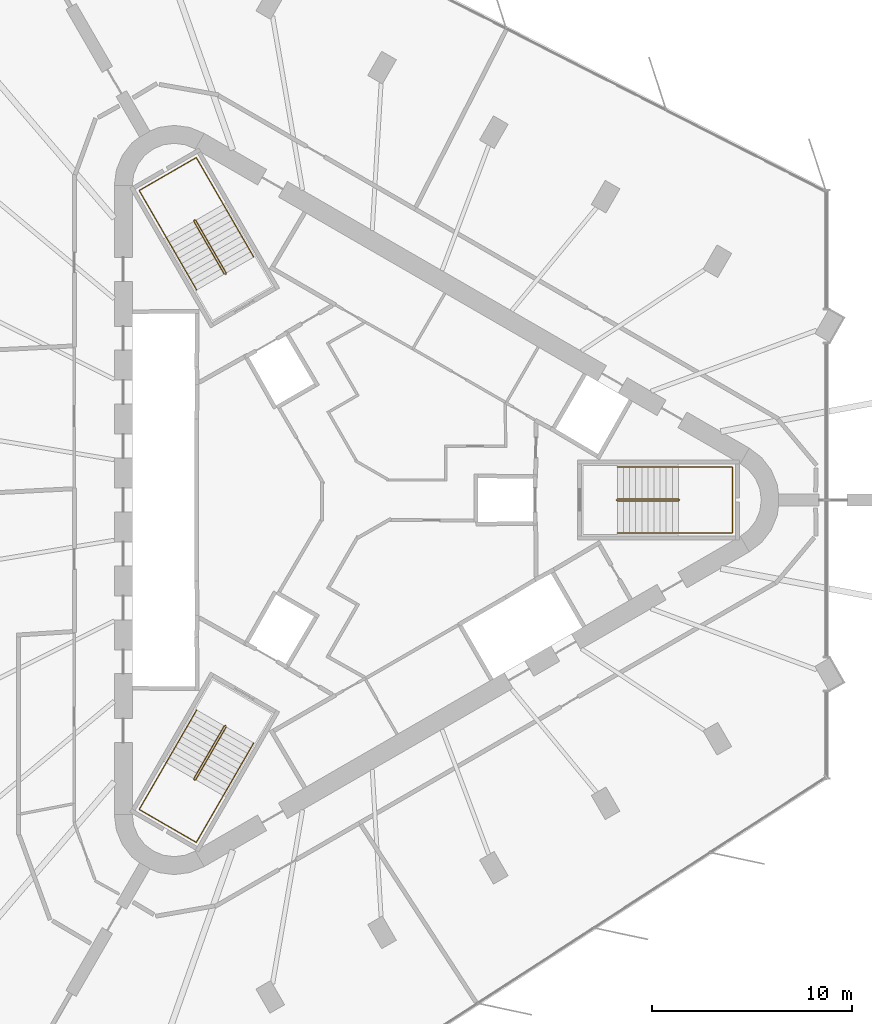
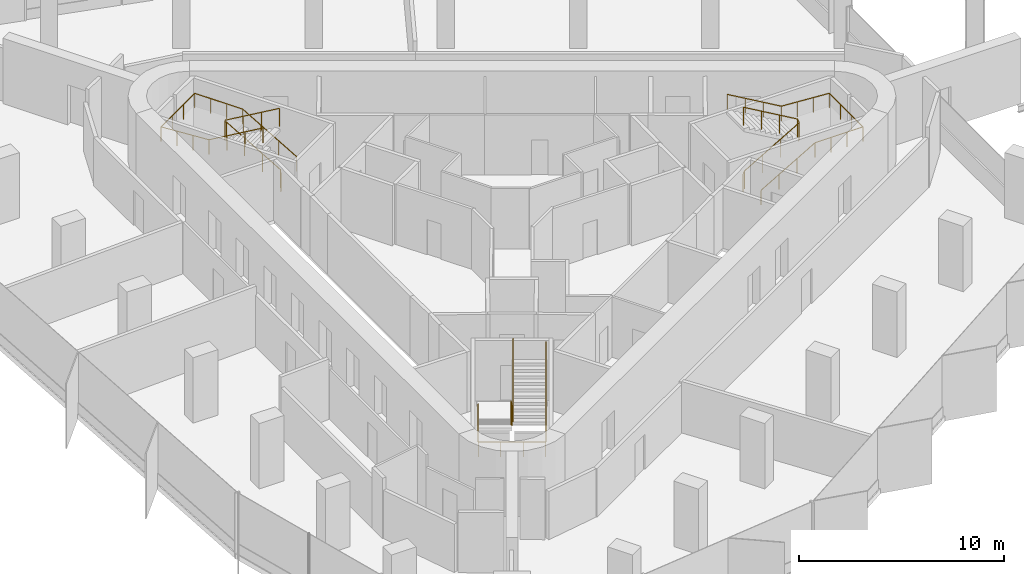
# One storey, part 12 of 12: 6 railings.
"""IFC4 building model written with IfcOpenShell, lengths in metres."""

from ifc_helpers import new_model, si_unit, direction, frame, origin, origin_2d, place, context, subcontext, project, spatial, circle, extrude, material, type_object, element, save


model = new_model("IFC4")

# Units and contexts
model_context = context("Model", 3, precision=1e-05, world=origin(), true_north=direction((0.0, 1.0)))
body_context = subcontext(model_context, "Body", "Model", "MODEL_VIEW")
ifc_project = project(units=[si_unit("LENGTHUNIT", "METRE"), si_unit("AREAUNIT", "SQUARE_METRE"), si_unit("VOLUMEUNIT", "CUBIC_METRE"), si_unit("PLANEANGLEUNIT", "RADIAN"), si_unit("MASSUNIT", "GRAM", prefix="KILO")], contexts=[model_context])

# Site, building, storey
site_placement = place(None, origin())
site = spatial("IfcSite", under=ifc_project, at=site_placement, CompositionType="ELEMENT")
building_placement = place(site_placement, origin())
building = spatial("IfcBuilding", under=site, at=building_placement, Name="Tanit Gate Tower", CompositionType="ELEMENT")
storey_placement = place(building_placement, frame((0.0, 0.0, 365.0)))
storey = spatial("IfcBuildingStorey", under=building, at=storey_placement, Name="L83", CompositionType="ELEMENT", Elevation=365.0)

# Railings
ifc_material_1 = material(Name="Stainless steel balustrade", Category="steel")
railing_type_1 = type_object("IfcRailingType", Name="INT-STAIR-GUARD", PredefinedType="GUARDRAIL", material=ifc_material_1)
railing_1_placement = place(storey_placement, frame((13.044921875, 0.0048828125, 0.0)))
element("IfcRailing", 1, at=railing_1_placement, inside=storey, type_object=railing_type_1, Name="L83 S1 stair guard 1", PredefinedType="GUARDRAIL", context=body_context, shape_type="SweptSolid", body=[
    extrude(circle(Radius=0.02392578125, at=origin_2d()), frame((0.0, 0.0, 1.076171875), z_axis=(0.0, -1.0, 0.0), x_axis=(1.0, 0.0, 0.0)), (0.0, 0.0, 1.0), 0.009765625),
    extrude(circle(Radius=0.02392578125, at=origin_2d()), frame((0.0, -0.009765625, 1.076171875), z_axis=(0.262233686654, -0.262233686654, 0.928691007369), x_axis=(0.707106781187, 0.707106781187, 0.0)), (0.0, 0.0, 1.0), 0.19091796875),
    extrude(circle(Radius=0.02392578125, at=origin_2d()), frame((0.050048828125, -0.059814453125, 1.25341796875), z_axis=(0.864648382064, 0.0, 0.502377522779), x_axis=(0.0, 1.0, 0.0)), (0.0, 0.0, 1.0), 3.528564453125),
    extrude(circle(Radius=0.02392578125, at=origin_2d()), frame((3.10107421875, -0.059814453125, 3.02587890625), z_axis=(0.707106781187, 0.707106781187, 0.0), x_axis=(-0.707106781187, 0.707106781187, 0.0)), (0.0, 0.0, 1.0), 0.07080078125),
    extrude(circle(Radius=0.02392578125, at=origin_2d()), frame((3.151123046875, -0.009765625, 3.02587890625), z_axis=(0.0, 1.0, 0.0), x_axis=(-1.0, 0.0, 0.0)), (0.0, 0.0, 1.0), 0.009765625),
    extrude(circle(Radius=0.02392578125, at=origin_2d()), frame((3.151123046875, 0.0, 3.02587890625), z_axis=(-0.262233686654, 0.262233686654, 0.928691007369), x_axis=(-0.707106781187, -0.707106781187, 0.0)), (0.0, 0.0, 1.0), 0.19091796875),
    extrude(circle(Radius=0.02392578125, at=origin_2d()), frame((3.10107421875, 0.050048828125, 3.203125), z_axis=(-0.864648382064, 0.0, 0.502377522779), x_axis=(0.0, -1.0, 0.0)), (0.0, 0.0, 1.0), 3.528564453125),
    extrude(circle(Radius=0.02099609375, at=origin_2d()), origin(), (0.0, 0.0, 1.0), 1.052001953125),
    extrude(circle(Radius=0.02099609375, at=origin_2d()), frame((0.0, -0.009765625, 0.0)), (0.0, 0.0, 1.0), 1.052001953125),
    extrude(circle(Radius=0.02099609375, at=origin_2d()), frame((0.050048828125, -0.059814453125, 0.17724609375)), (0.0, 0.0, 1.0), 1.052001953125),
    extrude(circle(Radius=0.02099609375, at=origin_2d()), frame((1.067138671875, -0.059814453125, 0.76806640625)), (0.0, 0.0, 1.0), 1.052001953125),
    extrude(circle(Radius=0.02099609375, at=origin_2d()), frame((2.083984375, -0.059814453125, 1.359130859375)), (0.0, 0.0, 1.0), 1.052001953125),
    extrude(circle(Radius=0.02099609375, at=origin_2d()), frame((3.10107421875, -0.059814453125, 1.949951171875)), (0.0, 0.0, 1.0), 1.052001953125),
    extrude(circle(Radius=0.02099609375, at=origin_2d()), frame((3.151123046875, -0.009765625, 1.949951171875)), (0.0, 0.0, 1.0), 1.052001953125),
    extrude(circle(Radius=0.02099609375, at=origin_2d()), frame((3.151123046875, 0.0, 1.949951171875)), (0.0, 0.0, 1.0), 1.052001953125),
    extrude(circle(Radius=0.02099609375, at=origin_2d()), frame((3.10107421875, 0.050048828125, 2.127197265625)), (0.0, 0.0, 1.0), 1.052001953125),
    extrude(circle(Radius=0.02099609375, at=origin_2d()), frame((2.083984375, 0.050048828125, 2.718017578125)), (0.0, 0.0, 1.0), 1.052001953125),
    extrude(circle(Radius=0.02099609375, at=origin_2d()), frame((1.067138671875, 0.050048828125, 3.30908203125)), (0.0, 0.0, 1.0), 1.052001953125),
    extrude(circle(Radius=0.02099609375, at=origin_2d()), frame((0.050048828125, 0.050048828125, 3.89990234375)), (0.0, 0.0, 1.0), 1.052001953125),
])
railing_2_placement = place(storey_placement, frame((-6.527099609375, 11.29345703125, 0.0)))
element("IfcRailing", 2, at=railing_2_placement, inside=storey, type_object=railing_type_1, Name="L83 S2 stair guard 1", PredefinedType="GUARDRAIL", context=body_context, shape_type="SweptSolid", body=[
    extrude(circle(Radius=0.02392578125, at=origin_2d()), frame((0.0, 0.0, 1.076171875), z_axis=(0.868243142124, 0.496138938357, 0.0), x_axis=(-0.496138938357, 0.868243142124, 0.0)), (0.0, 0.0, 1.0), 0.01171875),
    extrude(circle(Radius=0.02392578125, at=origin_2d()), frame((0.01025390625, 0.005859375, 1.076171875), z_axis=(0.095941116058, 0.358180166617, 0.928710003441), x_axis=(-0.965948051503, 0.258736085224, 0.0)), (0.0, 0.0, 1.0), 0.19091796875),
    extrude(circle(Radius=0.02392578125, at=origin_2d()), frame((0.028564453125, 0.07421875, 1.25341796875), z_axis=(-0.4322777601, 0.748681545756, 0.50260509465), x_axis=(-0.866012246495, -0.500022788402, 0.0)), (0.0, 0.0, 1.0), 3.527099609375),
    extrude(circle(Radius=0.02392578125, at=origin_2d()), frame((-1.49609375, 2.71484375, 3.02587890625), z_axis=(-0.965715946433, 0.259601060869, 0.0), x_axis=(-0.259601060869, -0.965715946433, 0.0)), (0.0, 0.0, 1.0), 0.070556640625),
    extrude(circle(Radius=0.02392578125, at=origin_2d()), frame((-1.564208984375, 2.733154296875, 3.02587890625), z_axis=(-0.873197702015, -0.487366159264, 0.0), x_axis=(0.487366159264, -0.873197702015, 0.0)), (0.0, 0.0, 1.0), 0.011962890625),
    extrude(circle(Radius=0.02392578125, at=origin_2d()), frame((-1.57470703125, 2.727294921875, 3.02587890625), z_axis=(-0.095941116058, -0.358180166617, 0.928710003441), x_axis=(0.965948051503, -0.258736085224, 0.0)), (0.0, 0.0, 1.0), 0.19091796875),
    extrude(circle(Radius=0.02392578125, at=origin_2d()), frame((-1.593017578125, 2.658935546875, 3.203125), z_axis=(0.4322777601, -0.748681545756, 0.50260509465), x_axis=(0.866012246495, 0.500022788402, 0.0)), (0.0, 0.0, 1.0), 3.527099609375),
    extrude(circle(Radius=0.02099609375, at=origin_2d()), origin(), (0.0, 0.0, 1.0), 1.052001953125),
    extrude(circle(Radius=0.02099609375, at=origin_2d()), frame((0.01025390625, 0.005859375, 0.0)), (0.0, 0.0, 1.0), 1.052001953125),
    extrude(circle(Radius=0.02099609375, at=origin_2d()), frame((0.028564453125, 0.07421875, 0.17724609375)), (0.0, 0.0, 1.0), 1.052001953125),
    extrude(circle(Radius=0.02099609375, at=origin_2d()), frame((-0.479736328125, 0.954345703125, 0.76806640625)), (0.0, 0.0, 1.0), 1.052001953125),
    extrude(circle(Radius=0.02099609375, at=origin_2d()), frame((-0.98779296875, 1.834716796875, 1.359130859375)), (0.0, 0.0, 1.0), 1.052001953125),
    extrude(circle(Radius=0.02099609375, at=origin_2d()), frame((-1.49609375, 2.71484375, 1.949951171875)), (0.0, 0.0, 1.0), 1.052001953125),
    extrude(circle(Radius=0.02099609375, at=origin_2d()), frame((-1.564208984375, 2.733154296875, 1.949951171875)), (0.0, 0.0, 1.0), 1.052001953125),
    extrude(circle(Radius=0.02099609375, at=origin_2d()), frame((-1.57470703125, 2.727294921875, 1.949951171875)), (0.0, 0.0, 1.0), 1.052001953125),
    extrude(circle(Radius=0.02099609375, at=origin_2d()), frame((-1.593017578125, 2.658935546875, 2.127197265625)), (0.0, 0.0, 1.0), 1.052001953125),
    extrude(circle(Radius=0.02099609375, at=origin_2d()), frame((-1.084716796875, 1.77880859375, 2.718017578125)), (0.0, 0.0, 1.0), 1.052001953125),
    extrude(circle(Radius=0.02099609375, at=origin_2d()), frame((-0.57666015625, 0.8984375, 3.30908203125)), (0.0, 0.0, 1.0), 1.052001953125),
    extrude(circle(Radius=0.02099609375, at=origin_2d()), frame((-0.068359375, 0.018310546875, 3.89990234375)), (0.0, 0.0, 1.0), 1.052001953125),
])
railing_3_placement = place(storey_placement, frame((-6.51806640625, -11.2998046875, 0.0)))
element("IfcRailing", 3, at=railing_3_placement, inside=storey, type_object=railing_type_1, Name="L83 S3 stair guard 1", PredefinedType="GUARDRAIL", context=body_context, shape_type="SweptSolid", body=[
    extrude(circle(Radius=0.02392578125, at=origin_2d()), frame((0.0, 0.0, 1.076171875), z_axis=(-0.874157276122, 0.485642931179, 0.0), x_axis=(-0.485642931179, -0.874157276122, 0.0)), (0.0, 0.0, 1.0), 0.010009765625),
    extrude(circle(Radius=0.02392578125, at=origin_2d()), frame((-0.0087890625, 0.0048828125, 1.076171875), z_axis=(-0.358223840744, -0.094673443625, 0.928823244215), x_axis=(0.255512919477, -0.966805641264, 0.0)), (0.0, 0.0, 1.0), 0.19091796875),
    extrude(circle(Radius=0.02392578125, at=origin_2d()), frame((-0.0771484375, -0.01318359375, 1.25341796875), z_axis=(-0.432289778901, -0.748827189027, 0.502377734411), x_axis=(0.866048339477, -0.499960272111, 0.0)), (0.0, 0.0, 1.0), 3.528564453125),
    extrude(circle(Radius=0.02392578125, at=origin_2d()), frame((-1.6025390625, -2.655517578125, 3.02587890625), z_axis=(0.258736085224, -0.965948051503, 0.0), x_axis=(0.965948051503, 0.258736085224, 0.0)), (0.0, 0.0, 1.0), 0.07080078125),
    extrude(circle(Radius=0.02392578125, at=origin_2d()), frame((-1.584228515625, -2.723876953125, 3.02587890625), z_axis=(0.868243142124, -0.496138938357, 0.0), x_axis=(0.496138938357, 0.868243142124, 0.0)), (0.0, 0.0, 1.0), 0.009765625),
    extrude(circle(Radius=0.02392578125, at=origin_2d()), frame((-1.57568359375, -2.728759765625, 3.02587890625), z_axis=(0.358180166617, 0.095941116058, 0.928710003441), x_axis=(-0.258736085224, 0.965948051503, 0.0)), (0.0, 0.0, 1.0), 0.19091796875),
    extrude(circle(Radius=0.02392578125, at=origin_2d()), frame((-1.50732421875, -2.71044921875, 3.203125), z_axis=(0.432368434633, 0.748774395838, 0.502388734816), x_axis=(-0.865993683553, 0.500054937028, 0.0)), (0.0, 0.0, 1.0), 3.528564453125),
    extrude(circle(Radius=0.02099609375, at=origin_2d()), origin(), (0.0, 0.0, 1.0), 1.052001953125),
    extrude(circle(Radius=0.02099609375, at=origin_2d()), frame((-0.0087890625, 0.0048828125, 0.0)), (0.0, 0.0, 1.0), 1.052001953125),
    extrude(circle(Radius=0.02099609375, at=origin_2d()), frame((-0.0771484375, -0.01318359375, 0.17724609375)), (0.0, 0.0, 1.0), 1.052001953125),
    extrude(circle(Radius=0.02099609375, at=origin_2d()), frame((-0.585693359375, -0.89404296875, 0.76806640625)), (0.0, 0.0, 1.0), 1.052001953125),
    extrude(circle(Radius=0.02099609375, at=origin_2d()), frame((-1.093994140625, -1.774658203125, 1.359130859375)), (0.0, 0.0, 1.0), 1.052001953125),
    extrude(circle(Radius=0.02099609375, at=origin_2d()), frame((-1.6025390625, -2.655517578125, 1.949951171875)), (0.0, 0.0, 1.0), 1.052001953125),
    extrude(circle(Radius=0.02099609375, at=origin_2d()), frame((-1.584228515625, -2.723876953125, 1.949951171875)), (0.0, 0.0, 1.0), 1.052001953125),
    extrude(circle(Radius=0.02099609375, at=origin_2d()), frame((-1.57568359375, -2.728759765625, 1.949951171875)), (0.0, 0.0, 1.0), 1.052001953125),
    extrude(circle(Radius=0.02099609375, at=origin_2d()), frame((-1.50732421875, -2.71044921875, 2.127197265625)), (0.0, 0.0, 1.0), 1.052001953125),
    extrude(circle(Radius=0.02099609375, at=origin_2d()), frame((-0.998779296875, -1.829833984375, 2.718017578125)), (0.0, 0.0, 1.0), 1.052001953125),
    extrude(circle(Radius=0.02099609375, at=origin_2d()), frame((-0.490234375, -0.948974609375, 3.30908203125)), (0.0, 0.0, 1.0), 1.052001953125),
    extrude(circle(Radius=0.02099609375, at=origin_2d()), frame((0.018310546875, -0.068359375, 3.89990234375)), (0.0, 0.0, 1.0), 1.052001953125),
])
ifc_material_2 = material(Name="Stainless steel handrail", Category="steel")
railing_type_2 = type_object("IfcRailingType", Name="INT-STAIR-HANDRAIL", PredefinedType="HANDRAIL", material=ifc_material_2)
railing_4_placement = place(storey_placement, frame((13.094970703125, -1.64990234375, 0.17724609375)))
element("IfcRailing", 4, at=railing_4_placement, inside=storey, type_object=railing_type_2, Name="L83 S1 stair handrail 1", PredefinedType="HANDRAIL", context=body_context, shape_type="SweptSolid", body=[
    extrude(circle(Radius=0.02392578125, at=origin_2d()), frame((0.0, 0.0, 0.8759765625), z_axis=(0.864648382064, 0.0, 0.502377522779), x_axis=(0.0, 1.0, 0.0)), (0.0, 0.0, 1.0), 3.528564453125),
    extrude(circle(Radius=0.02392578125, at=origin_2d()), frame((3.051025390625, 0.0, 2.6484375), z_axis=(1.0, 0.0, 0.0), x_axis=(0.0, 1.0, 0.0)), (0.0, 0.0, 1.0), 2.7041015625),
    extrude(circle(Radius=0.02392578125, at=origin_2d()), frame((5.755126953125, 0.0, 2.6484375), z_axis=(0.0, 1.0, 0.0), x_axis=(-1.0, 0.0, 0.0)), (0.0, 0.0, 1.0), 3.2998046875),
    extrude(circle(Radius=0.02392578125, at=origin_2d()), frame((5.755126953125, 3.2998046875, 2.6484375), z_axis=(-0.997858684482, 0.0, 0.065406771843), x_axis=(0.0, -1.0, 0.0)), (0.0, 0.0, 1.0), 2.7099609375),
    extrude(circle(Radius=0.02392578125, at=origin_2d()), frame((3.051025390625, 3.2998046875, 2.82568359375), z_axis=(-0.864648382064, 0.0, 0.502377522779), x_axis=(0.0, -1.0, 0.0)), (0.0, 0.0, 1.0), 3.528564453125),
    extrude(circle(Radius=0.02099609375, at=origin_2d()), origin(), (0.0, 0.0, 1.0), 0.851806640625),
    extrude(circle(Radius=0.02099609375, at=origin_2d()), frame((1.01708984375, 0.0, 0.5908203125)), (0.0, 0.0, 1.0), 0.851806640625),
    extrude(circle(Radius=0.02099609375, at=origin_2d()), frame((2.033935546875, 0.0, 1.181884765625)), (0.0, 0.0, 1.0), 0.851806640625),
    extrude(circle(Radius=0.02099609375, at=origin_2d()), frame((3.051025390625, 0.0, 1.772705078125)), (0.0, 0.0, 1.0), 0.851806640625),
    extrude(circle(Radius=0.02099609375, at=origin_2d()), frame((3.952392578125, 0.0, 1.772705078125)), (0.0, 0.0, 1.0), 0.851806640625),
    extrude(circle(Radius=0.02099609375, at=origin_2d()), frame((4.853759765625, 0.0, 1.772705078125)), (0.0, 0.0, 1.0), 0.851806640625),
    extrude(circle(Radius=0.02099609375, at=origin_2d()), frame((5.755126953125, 0.0, 1.772705078125)), (0.0, 0.0, 1.0), 0.851806640625),
    extrude(circle(Radius=0.02099609375, at=origin_2d()), frame((5.755126953125, 1.099853515625, 1.772705078125)), (0.0, 0.0, 1.0), 0.851806640625),
    extrude(circle(Radius=0.02099609375, at=origin_2d()), frame((5.755126953125, 2.199951171875, 1.772705078125)), (0.0, 0.0, 1.0), 0.851806640625),
    extrude(circle(Radius=0.02099609375, at=origin_2d()), frame((5.755126953125, 3.2998046875, 1.772705078125)), (0.0, 0.0, 1.0), 0.851806640625),
    extrude(circle(Radius=0.02099609375, at=origin_2d()), frame((4.853759765625, 3.2998046875, 1.831787109375)), (0.0, 0.0, 1.0), 0.851806640625),
    extrude(circle(Radius=0.02099609375, at=origin_2d()), frame((3.952392578125, 3.2998046875, 1.890869140625)), (0.0, 0.0, 1.0), 0.851806640625),
    extrude(circle(Radius=0.02099609375, at=origin_2d()), frame((3.051025390625, 3.2998046875, 1.949951171875)), (0.0, 0.0, 1.0), 0.851806640625),
    extrude(circle(Radius=0.02099609375, at=origin_2d()), frame((2.033935546875, 3.2998046875, 2.540771484375)), (0.0, 0.0, 1.0), 0.851806640625),
    extrude(circle(Radius=0.02099609375, at=origin_2d()), frame((1.01708984375, 3.2998046875, 3.1318359375)), (0.0, 0.0, 1.0), 0.851806640625),
    extrude(circle(Radius=0.02099609375, at=origin_2d()), frame((0.0, 3.2998046875, 3.72265625)), (0.0, 0.0, 1.0), 0.851806640625),
])
railing_5_placement = place(storey_placement, frame((-5.1181640625, 12.164794921875, 0.17724609375)))
element("IfcRailing", 5, at=railing_5_placement, inside=storey, type_object=railing_type_2, Name="L83 S2 stair handrail 1", PredefinedType="HANDRAIL", context=body_context, shape_type="SweptSolid", body=[
    extrude(circle(Radius=0.02392578125, at=origin_2d()), frame((0.0, 0.0, 0.8759765625), z_axis=(-0.432221472453, 0.748703947157, 0.502620133164), x_axis=(-0.866046917185, -0.499962735845, 0.0)), (0.0, 0.0, 1.0), 3.52685546875),
    extrude(circle(Radius=0.02392578125, at=origin_2d()), frame((-1.5244140625, 2.640625, 2.6484375), z_axis=(-0.500019123664, 0.86601436245, 0.0), x_axis=(-0.86601436245, -0.500019123664, 0.0)), (0.0, 0.0, 1.0), 2.70703125),
    extrude(circle(Radius=0.02392578125, at=origin_2d()), frame((-2.8779296875, 4.98486328125, 2.6484375), z_axis=(-0.866008176907, -0.50002983664, 0.0), x_axis=(0.50002983664, -0.866008176907, 0.0)), (0.0, 0.0, 1.0), 3.300048828125),
    extrude(circle(Radius=0.02392578125, at=origin_2d()), frame((-5.73583984375, 3.334716796875, 2.6484375), z_axis=(0.498989459885, -0.864141018102, 0.065343857842), x_axis=(0.865991810323, 0.500058181068, 0.0)), (0.0, 0.0, 1.0), 2.71240234375),
    extrude(circle(Radius=0.02392578125, at=origin_2d()), frame((-4.38232421875, 0.99072265625, 2.82568359375), z_axis=(0.432255358616, -0.748711963836, 0.502579048665), x_axis=(0.866032263162, 0.499988119021, 0.0)), (0.0, 0.0, 1.0), 3.527099609375),
    extrude(circle(Radius=0.02099609375, at=origin_2d()), origin(), (0.0, 0.0, 1.0), 0.851806640625),
    extrude(circle(Radius=0.02099609375, at=origin_2d()), frame((-0.508056640625, 0.880126953125, 0.5908203125)), (0.0, 0.0, 1.0), 0.851806640625),
    extrude(circle(Radius=0.02099609375, at=origin_2d()), frame((-1.016357421875, 1.760498046875, 1.181884765625)), (0.0, 0.0, 1.0), 0.851806640625),
    extrude(circle(Radius=0.02099609375, at=origin_2d()), frame((-1.5244140625, 2.640625, 1.772705078125)), (0.0, 0.0, 1.0), 0.851806640625),
    extrude(circle(Radius=0.02099609375, at=origin_2d()), frame((-1.9755859375, 3.422119140625, 1.772705078125)), (0.0, 0.0, 1.0), 0.851806640625),
    extrude(circle(Radius=0.02099609375, at=origin_2d()), frame((-2.4267578125, 4.203369140625, 1.772705078125)), (0.0, 0.0, 1.0), 0.851806640625),
    extrude(circle(Radius=0.02099609375, at=origin_2d()), frame((-2.8779296875, 4.98486328125, 1.772705078125)), (0.0, 0.0, 1.0), 0.851806640625),
    extrude(circle(Radius=0.02099609375, at=origin_2d()), frame((-3.83056640625, 4.434814453125, 1.772705078125)), (0.0, 0.0, 1.0), 0.851806640625),
    extrude(circle(Radius=0.02099609375, at=origin_2d()), frame((-4.783203125, 3.884765625, 1.772705078125)), (0.0, 0.0, 1.0), 0.851806640625),
    extrude(circle(Radius=0.02099609375, at=origin_2d()), frame((-5.73583984375, 3.334716796875, 1.772705078125)), (0.0, 0.0, 1.0), 0.851806640625),
    extrude(circle(Radius=0.02099609375, at=origin_2d()), frame((-5.28466796875, 2.553466796875, 1.831787109375)), (0.0, 0.0, 1.0), 0.851806640625),
    extrude(circle(Radius=0.02099609375, at=origin_2d()), frame((-4.83349609375, 1.77197265625, 1.890869140625)), (0.0, 0.0, 1.0), 0.851806640625),
    extrude(circle(Radius=0.02099609375, at=origin_2d()), frame((-4.38232421875, 0.99072265625, 1.949951171875)), (0.0, 0.0, 1.0), 0.851806640625),
    extrude(circle(Radius=0.02099609375, at=origin_2d()), frame((-3.8740234375, 0.1103515625, 2.540771484375)), (0.0, 0.0, 1.0), 0.851806640625),
    extrude(circle(Radius=0.02099609375, at=origin_2d()), frame((-3.365966796875, -0.769775390625, 3.1318359375)), (0.0, 0.0, 1.0), 0.851806640625),
    extrude(circle(Radius=0.02099609375, at=origin_2d()), frame((-2.857666015625, -1.650146484375, 3.72265625)), (0.0, 0.0, 1.0), 0.851806640625),
])
railing_6_placement = place(storey_placement, frame((-7.9765625, -10.515625, 0.17724609375)))
element("IfcRailing", 6, at=railing_6_placement, inside=storey, type_object=railing_type_2, Name="L83 S3 stair handrail 1", PredefinedType="HANDRAIL", context=body_context, shape_type="SweptSolid", body=[
    extrude(circle(Radius=0.02392578125, at=origin_2d()), frame((0.0, 0.0, 0.8759765625), z_axis=(-0.432289778901, -0.748827189027, 0.502377734411), x_axis=(0.866048339477, -0.499960272111, 0.0)), (0.0, 0.0, 1.0), 3.528564453125),
    extrude(circle(Radius=0.02392578125, at=origin_2d()), frame((-1.525390625, -2.642333984375, 2.6484375), z_axis=(-0.50004290449, -0.866000631449, 0.0), x_axis=(0.866000631449, -0.50004290449, 0.0)), (0.0, 0.0, 1.0), 2.703857421875),
    extrude(circle(Radius=0.02392578125, at=origin_2d()), frame((-2.87744140625, -4.98388671875, 2.6484375), z_axis=(0.866008176907, -0.50002983664, 0.0), x_axis=(0.50002983664, 0.866008176907, 0.0)), (0.0, 0.0, 1.0), 3.300048828125),
    extrude(circle(Radius=0.02392578125, at=origin_2d()), frame((-0.01953125, -6.634033203125, 2.6484375), z_axis=(0.498933124603, 0.864168748861, 0.065407267689), x_axis=(-0.866023205937, 0.500003806764, 0.0)), (0.0, 0.0, 1.0), 2.7099609375),
    extrude(circle(Radius=0.02392578125, at=origin_2d()), frame((1.33251953125, -4.292236328125, 2.82568359375), z_axis=(0.432289778901, 0.748827189027, 0.502377734411), x_axis=(-0.866048339477, 0.499960272111, 0.0)), (0.0, 0.0, 1.0), 3.528564453125),
    extrude(circle(Radius=0.02099609375, at=origin_2d()), origin(), (0.0, 0.0, 1.0), 0.851806640625),
    extrude(circle(Radius=0.02099609375, at=origin_2d()), frame((-0.508544921875, -0.880859375, 0.5908203125)), (0.0, 0.0, 1.0), 0.851806640625),
    extrude(circle(Radius=0.02099609375, at=origin_2d()), frame((-1.016845703125, -1.761474609375, 1.181884765625)), (0.0, 0.0, 1.0), 0.851806640625),
    extrude(circle(Radius=0.02099609375, at=origin_2d()), frame((-1.525390625, -2.642333984375, 1.772705078125)), (0.0, 0.0, 1.0), 0.851806640625),
    extrude(circle(Radius=0.02099609375, at=origin_2d()), frame((-1.97607421875, -3.4228515625, 1.772705078125)), (0.0, 0.0, 1.0), 0.851806640625),
    extrude(circle(Radius=0.02099609375, at=origin_2d()), frame((-2.4267578125, -4.203369140625, 1.772705078125)), (0.0, 0.0, 1.0), 0.851806640625),
    extrude(circle(Radius=0.02099609375, at=origin_2d()), frame((-2.87744140625, -4.98388671875, 1.772705078125)), (0.0, 0.0, 1.0), 0.851806640625),
    extrude(circle(Radius=0.02099609375, at=origin_2d()), frame((-1.9248046875, -5.533935546875, 1.772705078125)), (0.0, 0.0, 1.0), 0.851806640625),
    extrude(circle(Radius=0.02099609375, at=origin_2d()), frame((-0.97216796875, -6.083984375, 1.772705078125)), (0.0, 0.0, 1.0), 0.851806640625),
    extrude(circle(Radius=0.02099609375, at=origin_2d()), frame((-0.01953125, -6.634033203125, 1.772705078125)), (0.0, 0.0, 1.0), 0.851806640625),
    extrude(circle(Radius=0.02099609375, at=origin_2d()), frame((0.43115234375, -5.853515625, 1.831787109375)), (0.0, 0.0, 1.0), 0.851806640625),
    extrude(circle(Radius=0.02099609375, at=origin_2d()), frame((0.8818359375, -5.07275390625, 1.890869140625)), (0.0, 0.0, 1.0), 0.851806640625),
    extrude(circle(Radius=0.02099609375, at=origin_2d()), frame((1.33251953125, -4.292236328125, 1.949951171875)), (0.0, 0.0, 1.0), 0.851806640625),
    extrude(circle(Radius=0.02099609375, at=origin_2d()), frame((1.841064453125, -3.411376953125, 2.540771484375)), (0.0, 0.0, 1.0), 0.851806640625),
    extrude(circle(Radius=0.02099609375, at=origin_2d()), frame((2.349365234375, -2.53076171875, 3.1318359375)), (0.0, 0.0, 1.0), 0.851806640625),
    extrude(circle(Radius=0.02099609375, at=origin_2d()), frame((2.85791015625, -1.64990234375, 3.72265625)), (0.0, 0.0, 1.0), 0.851806640625),
])

save(model, "model.ifc")
